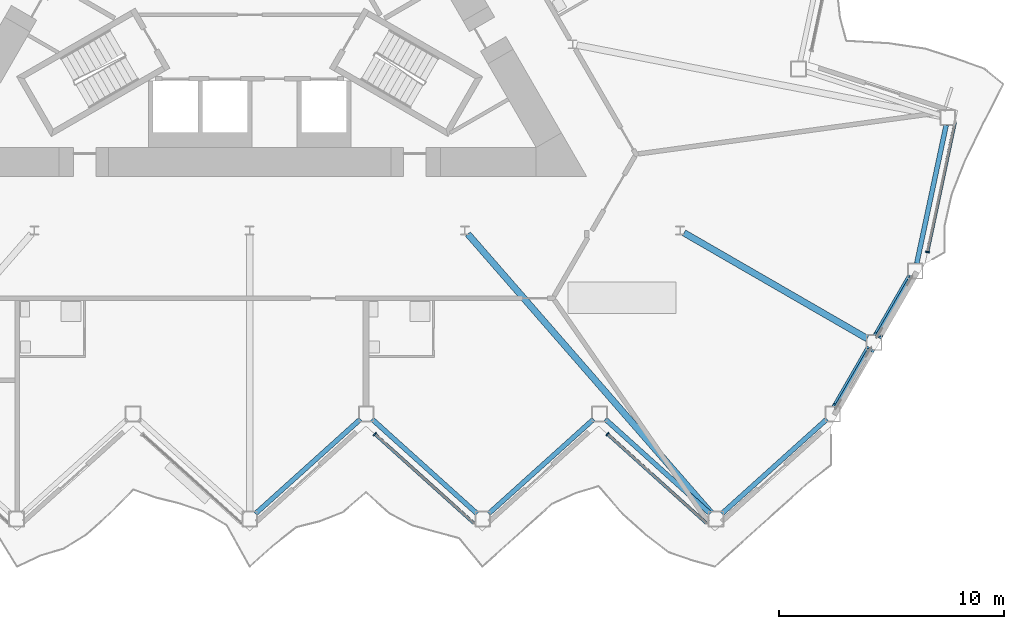
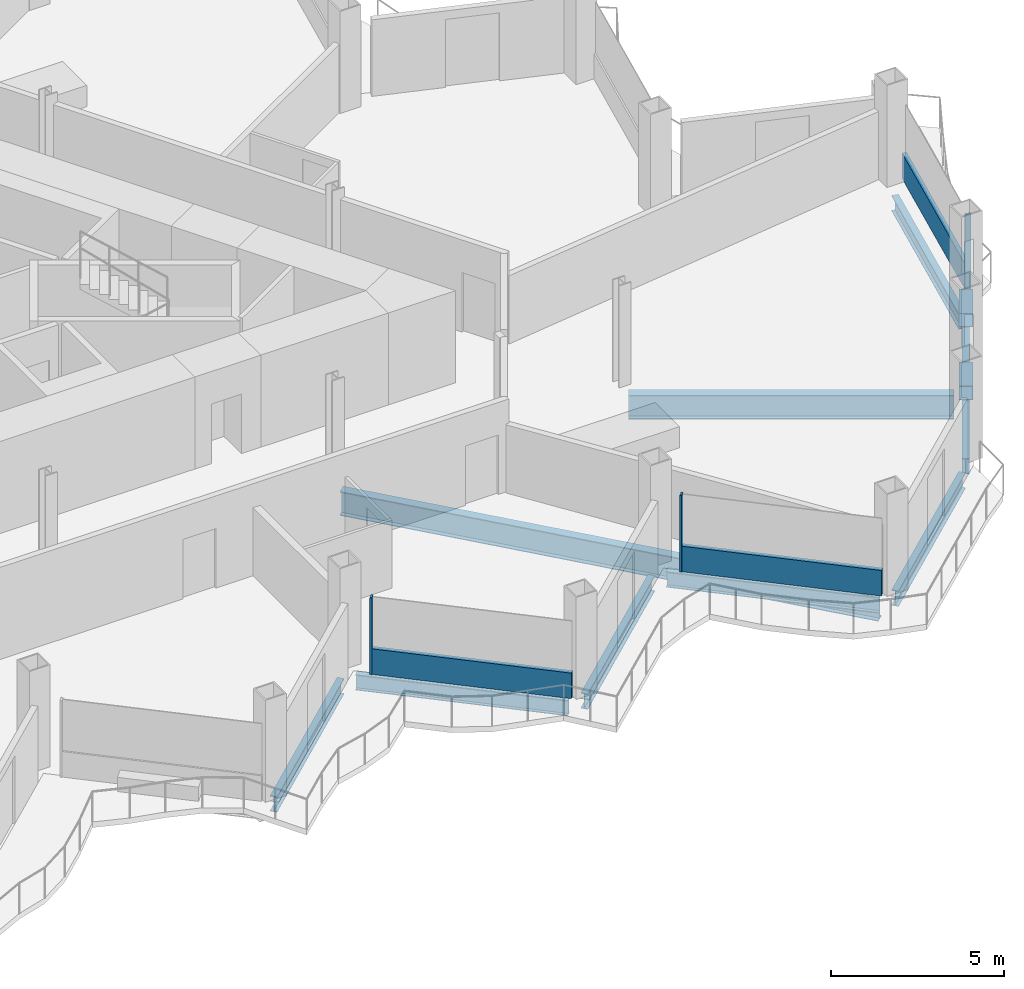
# One storey, part 6 of 23: 10 beams, 8 members, 3 elements without a shape of their own.
"""IFC4 building model written with IfcOpenShell, lengths in metres."""

from ifc_helpers import new_model, si_unit, direction, frame, origin, origin_2d, place, context, subcontext, project, spatial, rectangle, hollow_rectangle, i_section, extrude, material, layer, layer_set, material_profile, profile_set, type_object, element, aggregate, save


model = new_model("IFC4")

# Units and contexts
model_context = context("Model", 3, precision=1e-05, world=origin(), true_north=direction((0.0, 1.0)))
body_context = subcontext(model_context, "Body", "Model", "MODEL_VIEW")
ifc_project = project(units=[si_unit("LENGTHUNIT", "METRE"), si_unit("AREAUNIT", "SQUARE_METRE"), si_unit("VOLUMEUNIT", "CUBIC_METRE"), si_unit("PLANEANGLEUNIT", "RADIAN"), si_unit("MASSUNIT", "GRAM", prefix="KILO")], contexts=[model_context])

# Site, building, storey
site_placement = place(None, origin())
site = spatial("IfcSite", under=ifc_project, at=site_placement, CompositionType="ELEMENT")
building_placement = place(site_placement, origin())
building = spatial("IfcBuilding", under=site, at=building_placement, Name="Cormorant Prow Tower", CompositionType="ELEMENT")
storey_placement = place(building_placement, frame((0.0, 0.0, 245.39990234375)))
storey = spatial("IfcBuildingStorey", under=building, at=storey_placement, Name="L54", CompositionType="ELEMENT", Elevation=245.39990234375)

# Members
ifc_material_1 = material(Name="Structural steel ASTM A500 Gr C", Category="steel")
ifc_material_profile_1 = material_profile(ifc_material_1, hollow_rectangle(XDim=0.406494140625, YDim=0.406494140625, WallThickness=0.01171875, at=origin_2d()), Name="HSS16x16x1/2")
ifc_profile_set_1 = profile_set([ifc_material_profile_1], Name="Structural steel ASTM A500 Gr C")
member_type_1 = type_object("IfcMemberType", Name="Chamfer brace HSS16x16x1/2", PredefinedType="BRACE", material=ifc_profile_set_1)
for number, where, z_axis, x_axis, name in (
    (1, (27.593505859375, -16.353271484375, 0.74951171875), (-0.462773096913, -0.801606962687, 0.378506721399), (0.866041729639, -0.499971721724, 0.0), "Chamfer brace BR2 at ESE00 L54"),
    (2, (29.4287109375, -13.174560546875, 0.74951171875), (-0.462773096913, -0.801606962687, 0.378506721399), (0.866041729639, -0.499971721724, 0.0), "Chamfer brace BR2 at ESE01 L54"),
):
    element("IfcMember", number, at=place(storey_placement, frame(where, z_axis=z_axis, x_axis=x_axis)), inside=storey, type_object=member_type_1, Name=name, PredefinedType="BRACE", context=body_context, shape_type="SweptSolid", body=[
        extrude(hollow_rectangle(XDim=0.406494140625, YDim=0.406494140625, WallThickness=0.01171875, at=origin_2d()), origin(), (0.0, 0.0, 1.0), 3.17529296875),
    ])

# Curtain wall, member
ifc_material_2 = material(Name="Aluminium 6063-T6", Category="aluminium")
ifc_layer = layer(ifc_material_2, 0.179931640625)
ifc_layer_set = layer_set([ifc_layer], Name="Aluminium 6063-T6")
curtain_wall_type = type_object("IfcCurtainWallType", Name="Hotel unitised curtain wall 180", PredefinedType="NOTDEFINED", material=ifc_layer_set)
curtain_wall_1_placement = place(storey_placement, origin())
curtain_wall_1 = element("IfcCurtainWall", 3, at=curtain_wall_1_placement, inside=storey, type_object=curtain_wall_type, Name="Hotel curtain wall S06", PredefinedType="NOTDEFINED")
ifc_material_3 = material(Name="Aluminium 6063-T6", Category="aluminium")
ifc_material_profile_2 = material_profile(ifc_material_3, rectangle(XDim=0.179931640625, YDim=0.06005859375, at=origin_2d()), Name="Hotel mullion 60x180")
ifc_profile_set_2 = profile_set([ifc_material_profile_2], Name="Aluminium 6063-T6")
member_type_2 = type_object("IfcMemberType", Name="Hotel mullion 60x180", PredefinedType="MULLION", material=ifc_profile_set_2)
member_1_placement = place(storey_placement, frame((5.5703125, -20.113525390625, 0.0), z_axis=(0.0, 0.0, 1.0), x_axis=(0.669130621132, 0.743144812176, 0.0)))
member_1 = element("IfcMember", 4, at=member_1_placement, type_object=member_type_2, Name="Hotel mullion S06", PredefinedType="MULLION", context=body_context, shape_type="SweptSolid", body=[
    extrude(rectangle(XDim=0.179931640625, YDim=0.06005859375, at=origin_2d()), origin(), (0.0, 0.0, 1.0), 2.700927734375),
])

curtain_wall_2_placement = place(storey_placement, origin())
curtain_wall_2 = element("IfcCurtainWall", 5, at=curtain_wall_2_placement, inside=storey, type_object=curtain_wall_type, Name="Hotel curtain wall S08", PredefinedType="NOTDEFINED")
member_2_placement = place(storey_placement, frame((15.921630859375, -20.113525390625, 0.0), z_axis=(0.0, 0.0, 1.0), x_axis=(0.669130621132, 0.743144812176, 0.0)))
member_2 = element("IfcMember", 6, at=member_2_placement, type_object=member_type_2, Name="Hotel mullion S08", PredefinedType="MULLION", context=body_context, shape_type="SweptSolid", body=[
    extrude(rectangle(XDim=0.179931640625, YDim=0.06005859375, at=origin_2d()), origin(), (0.0, 0.0, 1.0), 2.700927734375),
])

curtain_wall_3_placement = place(storey_placement, origin())
curtain_wall_3 = element("IfcCurtainWall", 7, at=curtain_wall_3_placement, inside=storey, type_object=curtain_wall_type, Name="Hotel curtain wall ENE00", PredefinedType="NOTDEFINED")
member_3_placement = place(storey_placement, frame((30.16064453125, -12.012939453125, 0.0), z_axis=(0.0, 0.0, 1.0), x_axis=(-0.978147605727, 0.207911667327, 0.0)))
member_3 = element("IfcMember", 8, at=member_3_placement, type_object=member_type_2, Name="Hotel mullion ENE00", PredefinedType="MULLION", context=body_context, shape_type="SweptSolid", body=[
    extrude(rectangle(XDim=0.179931640625, YDim=0.06005859375, at=origin_2d()), origin(), (0.0, 0.0, 1.0), 2.700927734375),
])

# Member
ifc_material_4 = material(Name="Terracotta", Category="masonry")
ifc_material_profile_3 = material_profile(ifc_material_4, rectangle(XDim=0.139892578125, YDim=0.89990234375, at=origin_2d()), Name="Hotel terracotta spandrel rail 140x900")
ifc_profile_set_3 = profile_set([ifc_material_profile_3], Name="Terracotta")
member_type_3 = type_object("IfcMemberType", Name="Hotel terracotta spandrel rail 140x900", PredefinedType="USERDEFINED", material=ifc_profile_set_3)
member_4_placement = place(storey_placement, frame((5.592529296875, -20.133544921875, 0.4501953125), z_axis=(0.743135764778, -0.669140669148, 0.0), x_axis=(0.669140669148, 0.743135764778, 0.0)))
member_4 = element("IfcMember", 9, at=member_4_placement, type_object=member_type_3, Name="Hotel spandrel rail S06", ObjectType="TRANSOM", PredefinedType="USERDEFINED", context=body_context, shape_type="SweptSolid", body=[
    extrude(rectangle(XDim=0.139892578125, YDim=0.89990234375, at=origin_2d()), origin(), (0.0, 0.0, 1.0), 5.902587890625),
])

aggregate(curtain_wall_1, [member_1, member_4])

member_5_placement = place(storey_placement, frame((15.944091796875, -20.133544921875, 0.4501953125), z_axis=(0.743135764778, -0.669140669148, 0.0), x_axis=(0.669140669148, 0.743135764778, 0.0)))
member_5 = element("IfcMember", 10, at=member_5_placement, type_object=member_type_3, Name="Hotel spandrel rail S08", ObjectType="TRANSOM", PredefinedType="USERDEFINED", context=body_context, shape_type="SweptSolid", body=[
    extrude(rectangle(XDim=0.139892578125, YDim=0.89990234375, at=origin_2d()), origin(), (0.0, 0.0, 1.0), 5.902587890625),
])

aggregate(curtain_wall_2, [member_2, member_5])

member_6_placement = place(storey_placement, frame((30.1669921875, -11.983642578125, 0.4501953125), z_axis=(0.207921579045, 0.978145498874, 0.0), x_axis=(-0.978145498874, 0.207921579045, 0.0)))
member_6 = element("IfcMember", 11, at=member_6_placement, type_object=member_type_3, Name="Hotel spandrel rail ENE00", ObjectType="TRANSOM", PredefinedType="USERDEFINED", context=body_context, shape_type="SweptSolid", body=[
    extrude(rectangle(XDim=0.139892578125, YDim=0.89990234375, at=origin_2d()), origin(), (0.0, 0.0, 1.0), 5.902587890625),
])

aggregate(curtain_wall_3, [member_3, member_6])

# Beams
ifc_material_5 = material(Name="Structural steel ASTM A992 Gr 50", Category="steel")
ifc_material_profile_4 = material_profile(ifc_material_5, i_section(OverallWidth=0.29296875, OverallDepth=0.845703125, WebThickness=0.015380859375, FlangeThickness=0.0244140625, at=origin_2d()), Name="W33x141")
ifc_profile_set_4 = profile_set([ifc_material_profile_4], Name="Structural steel ASTM A992 Gr 50")
beam_type_1 = type_object("IfcBeamType", Name="Radial floor beam W33x141", PredefinedType="BEAM", material=ifc_profile_set_4)
beam_1_placement = place(storey_placement, frame((9.70947265625, -11.210693359375, -0.772705078125), z_axis=(0.656874593387, -0.753999846527, 0.0), x_axis=(0.753999846527, 0.656874593387, 0.0)))
element("IfcBeam", 12, at=beam_1_placement, inside=storey, type_object=beam_type_1, Name="Radial floor beam FB2 8 L54", PredefinedType="BEAM", context=body_context, shape_type="SweptSolid", body=[
    extrude(i_section(OverallWidth=0.29296875, OverallDepth=0.845703125, WebThickness=0.015380859375, FlangeThickness=0.0244140625, at=origin_2d()), origin(), (0.0, 0.0, 1.0), 16.4619140625),
])
beam_2_placement = place(storey_placement, frame((19.32958984375, -11.159912109375, -0.772705078125), z_axis=(0.866021726843, -0.500006368596, 0.0), x_axis=(0.500006368596, 0.866021726843, 0.0)))
element("IfcBeam", 13, at=beam_2_placement, inside=storey, type_object=beam_type_1, Name="Radial floor beam FB2 9 L54", PredefinedType="BEAM", context=body_context, shape_type="SweptSolid", body=[
    extrude(i_section(OverallWidth=0.29296875, OverallDepth=0.845703125, WebThickness=0.015380859375, FlangeThickness=0.0244140625, at=origin_2d()), origin(), (0.0, 0.0, 1.0), 9.40380859375),
])
ifc_material_6 = material(Name="Structural steel ASTM A992 Gr 50", Category="steel")
ifc_material_profile_5 = material_profile(ifc_material_6, i_section(OverallWidth=0.2138671875, OverallDepth=0.549072265625, WebThickness=0.0146484375, FlangeThickness=0.023681640625, at=origin_2d()), Name="W21x93")
ifc_profile_set_5 = profile_set([ifc_material_profile_5], Name="Structural steel ASTM A992 Gr 50")
beam_type_2 = type_object("IfcBeamType", Name="Spandrel beam W21x93", PredefinedType="SPANDREL", material=ifc_profile_set_5)
for number, where, z_axis, x_axis, name in (
    (14, (0.260009765625, -23.65283203125, -0.62451171875), (0.743156918576, 0.669117175368, 0.0), (-0.669117175368, 0.743156918576, 0.0), "Spandrel beam SB2 S05-S06 L54"),
    (15, (5.4482421875, -19.44970703125, -0.62451171875), (0.743156918576, -0.669117175368, 0.0), (0.669117175368, 0.743156918576, 0.0), "Spandrel beam SB2 S06-S07 L54"),
    (16, (10.636474609375, -23.65283203125, -0.62451171875), (0.743156918576, 0.669117175368, 0.0), (-0.669117175368, 0.743156918576, 0.0), "Spandrel beam SB2 S07-S08 L54"),
    (17, (15.82470703125, -19.44970703125, -0.62451171875), (0.743156918576, -0.669117175368, 0.0), (0.669117175368, 0.743156918576, 0.0), "Spandrel beam SB2 S08-S09 L54"),
    (18, (21.012939453125, -23.65283203125, -0.62451171875), (0.743156918576, 0.669117175368, 0.0), (-0.669117175368, 0.743156918576, 0.0), "Spandrel beam SB2 S09-ESE00 L54"),
):
    element("IfcBeam", number, at=place(storey_placement, frame(where, z_axis=z_axis, x_axis=x_axis)), inside=storey, type_object=beam_type_2, Name=name, PredefinedType="SPANDREL", context=body_context, shape_type="SweptSolid", body=[
        extrude(i_section(OverallWidth=0.2138671875, OverallDepth=0.549072265625, WebThickness=0.0146484375, FlangeThickness=0.023681640625, at=origin_2d()), origin(), (0.0, 0.0, 1.0), 6.281494140625),
    ])
for number, where, z_axis, x_axis, name in (
    (19, (26.1162109375, -18.912353515625, -0.62451171875), (0.499966725515, 0.866044613965, 0.0), (-0.866044613965, 0.499966725515, 0.0), "Spandrel beam SB2 ESE00-ESE01 L54"),
    (20, (27.951416015625, -15.733642578125, -0.62451171875), (0.499966725515, 0.866044613965, 0.0), (-0.866044613965, 0.499966725515, 0.0), "Spandrel beam SB2 ESE01-ENE00 L54"),
):
    element("IfcBeam", number, at=place(storey_placement, frame(where, z_axis=z_axis, x_axis=x_axis)), inside=storey, type_object=beam_type_2, Name=name, PredefinedType="SPANDREL", context=body_context, shape_type="SweptSolid", body=[
        extrude(i_section(OverallWidth=0.2138671875, OverallDepth=0.549072265625, WebThickness=0.0146484375, FlangeThickness=0.023681640625, at=origin_2d()), origin(), (0.0, 0.0, 1.0), 2.970458984375),
    ])
beam_3_placement = place(storey_placement, frame((29.684326171875, -12.515625, -0.62451171875), z_axis=(0.207941499013, 0.978141264331, 0.0), x_axis=(-0.978141264331, 0.207941499013, 0.0)))
element("IfcBeam", 21, at=beam_3_placement, inside=storey, type_object=beam_type_2, Name="Spandrel beam SB2 ENE00-ENE01 L54", PredefinedType="SPANDREL", context=body_context, shape_type="SweptSolid", body=[
    extrude(i_section(OverallWidth=0.2138671875, OverallDepth=0.549072265625, WebThickness=0.0146484375, FlangeThickness=0.023681640625, at=origin_2d()), origin(), (0.0, 0.0, 1.0), 6.28125),
])

save(model, "model.ifc")
